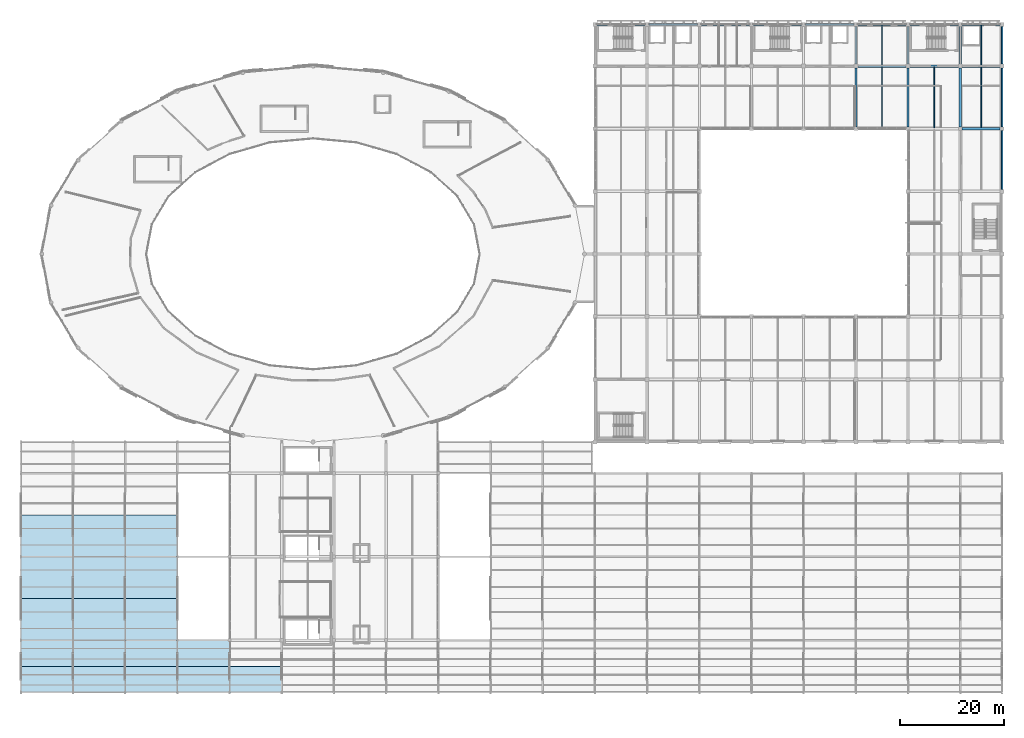
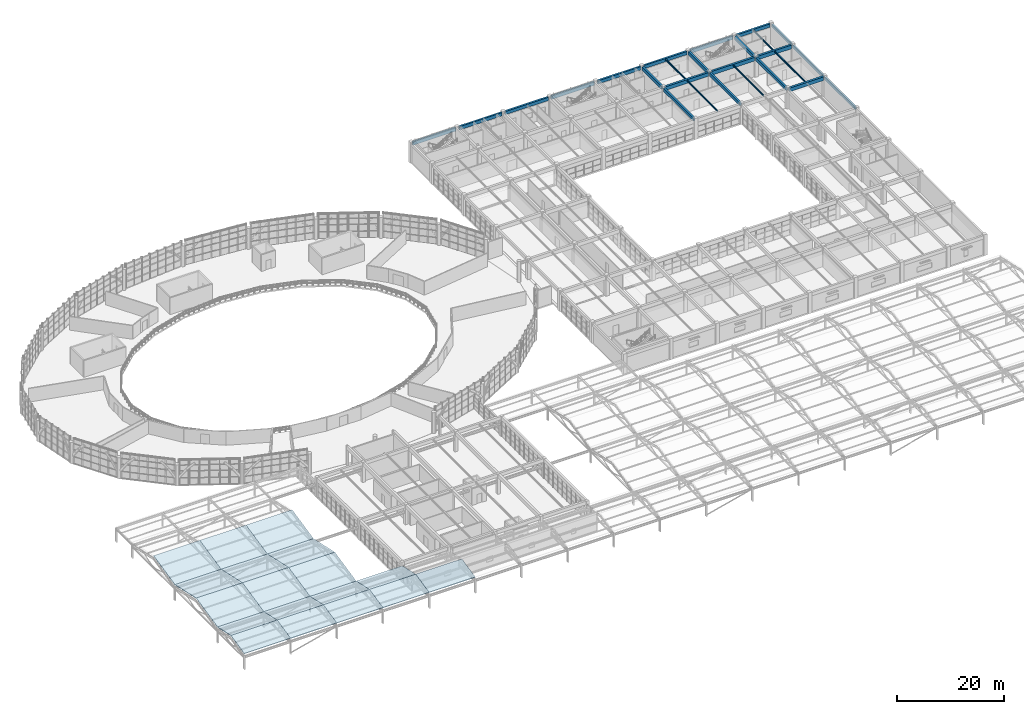
# One storey, part 60 of 109: 26 beams, 18 slabs, 1 element without a shape of its own.
"""IFC4 building model written with IfcOpenShell, lengths in metres."""

from ifc_helpers import new_model, si_unit, direction, frame, origin, origin_2d, place, context, subcontext, project, spatial, polyline, rectangle, i_section, outline, extrude, material, layer, layer_set, material_profile, profile_set, type_object, element, aggregate, save


model = new_model("IFC4")

# Units and contexts
model_context = context("Model", 3, precision=1e-05, world=origin(), true_north=direction((0.0, 1.0)))
body_context = subcontext(model_context, "Body", "Model", "MODEL_VIEW")
ifc_project = project(units=[si_unit("LENGTHUNIT", "METRE"), si_unit("AREAUNIT", "SQUARE_METRE"), si_unit("VOLUMEUNIT", "CUBIC_METRE"), si_unit("PLANEANGLEUNIT", "RADIAN"), si_unit("MASSUNIT", "GRAM", prefix="KILO")], contexts=[model_context])

# Site, building, storey
site_placement = place(None, origin())
site = spatial("IfcSite", under=ifc_project, at=site_placement, CompositionType="ELEMENT")
building_placement = place(site_placement, origin())
building = spatial("IfcBuilding", under=site, at=building_placement, Name="Kivolera Central Railway Station", CompositionType="ELEMENT")
storey_placement = place(building_placement, frame((0.0, 0.0, 9.60009765625)))
storey = spatial("IfcBuildingStorey", under=building, at=storey_placement, Name="L02", CompositionType="ELEMENT", Elevation=9.60009765625)

# Beams
ifc_material_1 = material(Name="Steel S355", Category="steel")
ifc_material_profile_1 = material_profile(ifc_material_1, i_section(OverallWidth=0.169921875, OverallDepth=0.360107421875, WebThickness=0.008056640625, FlangeThickness=0.0126953125, FilletRadius=0.01806640625, at=origin_2d()), Name="IPE 360")
ifc_profile_set_1 = profile_set([ifc_material_profile_1], Name="Steel S355")
beam_type_1 = type_object("IfcBeamType", Name="BM-JST-IPE360", PredefinedType="JOIST", material=ifc_profile_set_1)
beam_1_placement = place(storey_placement, frame((173.0, 114.217041015625, 4.327880859375), z_axis=(0.0, 1.0, 0.0), x_axis=(-1.0, 0.0, 0.0)))
element("IfcBeam", 1, at=beam_1_placement, inside=storey, type_object=beam_type_1, Name="L02 Floor Joist 17-18/K-L", PredefinedType="JOIST", context=body_context, shape_type="SweptSolid", body=[
    extrude(i_section(OverallWidth=0.169921875, OverallDepth=0.360107421875, WebThickness=0.008056640625, FlangeThickness=0.0126953125, FilletRadius=0.01806640625, at=origin_2d()), origin(), (0.0, 0.0, 1.0), 11.56591796875),
])
beam_2_placement = place(storey_placement, frame((173.0, 126.217041015625, 4.327880859375), z_axis=(0.0, 1.0, 0.0), x_axis=(-1.0, 0.0, 0.0)))
element("IfcBeam", 2, at=beam_2_placement, inside=storey, type_object=beam_type_1, Name="L02 Floor Joist 17-18/L-M", PredefinedType="JOIST", context=body_context, shape_type="SweptSolid", body=[
    extrude(i_section(OverallWidth=0.169921875, OverallDepth=0.360107421875, WebThickness=0.008056640625, FlangeThickness=0.0126953125, FilletRadius=0.01806640625, at=origin_2d()), origin(), (0.0, 0.0, 1.0), 7.591064453125),
])
for number, where, z_axis, x_axis, name in (
    (3, (183.0, 114.217041015625, 4.327880859375), (0.0, 1.0, 0.0), (-1.0, 0.0, 0.0), "L02 Floor Joist 18-19/K-L"),
    (4, (192.0, 114.217041015625, 4.327880859375), (0.0, 1.0, 0.0), (-1.0, 0.0, 0.0), "L02 Floor Joist 19-20/K-L"),
):
    element("IfcBeam", number, at=place(storey_placement, frame(where, z_axis=z_axis, x_axis=x_axis)), inside=storey, type_object=beam_type_1, Name=name, PredefinedType="JOIST", context=body_context, shape_type="SweptSolid", body=[
        extrude(i_section(OverallWidth=0.169921875, OverallDepth=0.360107421875, WebThickness=0.008056640625, FlangeThickness=0.0126953125, FilletRadius=0.01806640625, at=origin_2d()), origin(), (0.0, 0.0, 1.0), 11.56591796875),
    ])
beam_3_placement = place(storey_placement, frame((192.0, 126.217041015625, 4.327880859375), z_axis=(0.0, 1.0, 0.0), x_axis=(-1.0, 0.0, 0.0)))
element("IfcBeam", 5, at=beam_3_placement, inside=storey, type_object=beam_type_1, Name="L02 Floor Joist 19-20/L-M", PredefinedType="JOIST", context=body_context, shape_type="SweptSolid", body=[
    extrude(i_section(OverallWidth=0.169921875, OverallDepth=0.360107421875, WebThickness=0.008056640625, FlangeThickness=0.0126953125, FilletRadius=0.01806640625, at=origin_2d()), origin(), (0.0, 0.0, 1.0), 7.591064453125),
])
ifc_material_2 = material(Name="Concrete C40/50", Category="concrete")
ifc_material_profile_2 = material_profile(ifc_material_2, rectangle(XDim=0.39990234375, YDim=0.75, at=origin_2d()), Name="RC 400x750")
ifc_profile_set_2 = profile_set([ifc_material_profile_2], Name="Concrete C40/50")
beam_type_2 = type_object("IfcBeamType", Name="BM-RC-400x750", PredefinedType="BEAM", material=ifc_profile_set_2)
beam_4_placement = place(storey_placement, frame((168.0, 114.366943359375, 4.14501953125), z_axis=(0.0, 1.0, 0.0), x_axis=(-1.0, 0.0, 0.0)))
element("IfcBeam", 6, at=beam_4_placement, inside=storey, type_object=beam_type_2, Name="L02 Wing Y-Beam 17:K-L", PredefinedType="BEAM", context=body_context, shape_type="SweptSolid", body=[
    extrude(rectangle(XDim=0.39990234375, YDim=0.75, at=origin_2d()), origin(), (0.0, 0.0, 1.0), 11.26611328125),
])
beam_5_placement = place(storey_placement, frame((168.0, 126.366943359375, 4.14501953125), z_axis=(0.0, 1.0, 0.0), x_axis=(-1.0, 0.0, 0.0)))
element("IfcBeam", 7, at=beam_5_placement, inside=storey, type_object=beam_type_2, Name="L02 Wing Y-Beam 17:L-M", PredefinedType="BEAM", context=body_context, shape_type="SweptSolid", body=[
    extrude(rectangle(XDim=0.39990234375, YDim=0.75, at=origin_2d()), origin(), (0.0, 0.0, 1.0), 7.26611328125),
])
beam_6_placement = place(storey_placement, frame((178.0, 114.366943359375, 4.14501953125), z_axis=(0.0, 1.0, 0.0), x_axis=(-1.0, 0.0, 0.0)))
element("IfcBeam", 8, at=beam_6_placement, inside=storey, type_object=beam_type_2, Name="L02 Wing Y-Beam 18:K-L", PredefinedType="BEAM", context=body_context, shape_type="SweptSolid", body=[
    extrude(rectangle(XDim=0.39990234375, YDim=0.75, at=origin_2d()), origin(), (0.0, 0.0, 1.0), 11.26611328125),
])
beam_7_placement = place(storey_placement, frame((178.0, 126.366943359375, 4.14501953125), z_axis=(0.0, 1.0, 0.0), x_axis=(-1.0, 0.0, 0.0)))
element("IfcBeam", 9, at=beam_7_placement, inside=storey, type_object=beam_type_2, Name="L02 Wing Y-Beam 18:L-M", PredefinedType="BEAM", context=body_context, shape_type="SweptSolid", body=[
    extrude(rectangle(XDim=0.39990234375, YDim=0.75, at=origin_2d()), origin(), (0.0, 0.0, 1.0), 7.26611328125),
])
beam_8_placement = place(storey_placement, frame((188.0, 114.366943359375, 4.14501953125), z_axis=(0.0, 1.0, 0.0), x_axis=(-1.0, 0.0, 0.0)))
element("IfcBeam", 10, at=beam_8_placement, inside=storey, type_object=beam_type_2, Name="L02 Wing Y-Beam 19:K-L", PredefinedType="BEAM", context=body_context, shape_type="SweptSolid", body=[
    extrude(rectangle(XDim=0.39990234375, YDim=0.75, at=origin_2d()), origin(), (0.0, 0.0, 1.0), 11.26611328125),
])
beam_9_placement = place(storey_placement, frame((188.0, 126.366943359375, 4.14501953125), z_axis=(0.0, 1.0, 0.0), x_axis=(-1.0, 0.0, 0.0)))
element("IfcBeam", 11, at=beam_9_placement, inside=storey, type_object=beam_type_2, Name="L02 Wing Y-Beam 19:L-M", PredefinedType="BEAM", context=body_context, shape_type="SweptSolid", body=[
    extrude(rectangle(XDim=0.39990234375, YDim=0.75, at=origin_2d()), origin(), (0.0, 0.0, 1.0), 7.26611328125),
])
ifc_material_profile_3 = material_profile(ifc_material_2, rectangle(XDim=0.449951171875, YDim=0.85009765625, at=origin_2d()), Name="RC 450x850")
ifc_profile_set_3 = profile_set([ifc_material_profile_3], Name="Concrete C40/50")
beam_type_3 = type_object("IfcBeamType", Name="BM-RC-450x850", PredefinedType="BEAM", material=ifc_profile_set_3)
beam_10_placement = place(storey_placement, frame((188.366943359375, 114.0, 4.094970703125), z_axis=(1.0, 0.0, 0.0), x_axis=(0.0, 1.0, 0.0)))
element("IfcBeam", 12, at=beam_10_placement, inside=storey, type_object=beam_type_3, Name="L02 Wing X-Beam K:19-20", PredefinedType="BEAM", context=body_context, shape_type="SweptSolid", body=[
    extrude(rectangle(XDim=0.449951171875, YDim=0.85009765625, at=origin_2d()), origin(), (0.0, 0.0, 1.0), 7.26611328125),
])
for number, where, z_axis, x_axis, name in (
    (13, (168.366943359375, 126.0, 4.094970703125), (1.0, 0.0, 0.0), (0.0, 1.0, 0.0), "L02 Wing X-Beam L:17-18"),
    (14, (178.366943359375, 126.0, 4.094970703125), (1.0, 0.0, 0.0), (0.0, 1.0, 0.0), "L02 Wing X-Beam L:18-19"),
):
    element("IfcBeam", number, at=place(storey_placement, frame(where, z_axis=z_axis, x_axis=x_axis)), inside=storey, type_object=beam_type_3, Name=name, PredefinedType="BEAM", context=body_context, shape_type="SweptSolid", body=[
        extrude(rectangle(XDim=0.449951171875, YDim=0.85009765625, at=origin_2d()), origin(), (0.0, 0.0, 1.0), 9.26611328125),
    ])
beam_11_placement = place(storey_placement, frame((188.366943359375, 126.0, 4.094970703125), z_axis=(1.0, 0.0, 0.0), x_axis=(0.0, 1.0, 0.0)))
element("IfcBeam", 15, at=beam_11_placement, inside=storey, type_object=beam_type_3, Name="L02 Wing X-Beam L:19-20", PredefinedType="BEAM", context=body_context, shape_type="SweptSolid", body=[
    extrude(rectangle(XDim=0.449951171875, YDim=0.85009765625, at=origin_2d()), origin(), (0.0, 0.0, 1.0), 7.26611328125),
])
ifc_material_profile_4 = material_profile(ifc_material_2, rectangle(XDim=0.35009765625, YDim=0.64990234375, at=origin_2d()), Name="RC 350x650")
ifc_profile_set_4 = profile_set([ifc_material_profile_4], Name="Concrete C40/50")
beam_type_4 = type_object("IfcBeamType", Name="BM-SPN-RC650", PredefinedType="SPANDREL", material=ifc_profile_set_4)
for number, where, z_axis, x_axis, name in (
    (16, (196.0, 102.366943359375, 4.19482421875), (0.0, 1.0, 0.0), (-1.0, 0.0, 0.0), "L02 Wing Y-Beam 20:J-K"),
    (17, (196.0, 114.366943359375, 4.19482421875), (0.0, 1.0, 0.0), (-1.0, 0.0, 0.0), "L02 Wing Y-Beam 20:K-L"),
):
    element("IfcBeam", number, at=place(storey_placement, frame(where, z_axis=z_axis, x_axis=x_axis)), inside=storey, type_object=beam_type_4, Name=name, PredefinedType="SPANDREL", context=body_context, shape_type="SweptSolid", body=[
        extrude(rectangle(XDim=0.35009765625, YDim=0.64990234375, at=origin_2d()), origin(), (0.0, 0.0, 1.0), 11.26611328125),
    ])
beam_12_placement = place(storey_placement, frame((196.0, 126.366943359375, 4.19482421875), z_axis=(0.0, 1.0, 0.0), x_axis=(-1.0, 0.0, 0.0)))
element("IfcBeam", 18, at=beam_12_placement, inside=storey, type_object=beam_type_4, Name="L02 Wing Y-Beam 20:L-M", PredefinedType="SPANDREL", context=body_context, shape_type="SweptSolid", body=[
    extrude(rectangle(XDim=0.35009765625, YDim=0.64990234375, at=origin_2d()), origin(), (0.0, 0.0, 1.0), 7.26611328125),
])
ifc_material_profile_5 = material_profile(ifc_material_2, rectangle(XDim=0.39990234375, YDim=0.75, at=origin_2d()), Name="RC 400x750")
ifc_profile_set_5 = profile_set([ifc_material_profile_5], Name="Concrete C40/50")
beam_type_5 = type_object("IfcBeamType", Name="BM-SPN-RC750", PredefinedType="SPANDREL", material=ifc_profile_set_5)
for number, where, z_axis, x_axis, name in (
    (19, (118.366943359375, 134.0, 4.14501953125), (1.0, 0.0, 0.0), (0.0, 1.0, 0.0), "L02 Wing X-Beam M:12-13"),
    (20, (128.366943359375, 134.0, 4.14501953125), (1.0, 0.0, 0.0), (0.0, 1.0, 0.0), "L02 Wing X-Beam M:13-14"),
    (21, (138.366943359375, 134.0, 4.14501953125), (1.0, 0.0, 0.0), (0.0, 1.0, 0.0), "L02 Wing X-Beam M:14-15"),
    (22, (148.366943359375, 134.0, 4.14501953125), (1.0, 0.0, 0.0), (0.0, 1.0, 0.0), "L02 Wing X-Beam M:15-16"),
    (23, (158.366943359375, 134.0, 4.14501953125), (1.0, 0.0, 0.0), (0.0, 1.0, 0.0), "L02 Wing X-Beam M:16-17"),
    (24, (168.366943359375, 134.0, 4.14501953125), (1.0, 0.0, 0.0), (0.0, 1.0, 0.0), "L02 Wing X-Beam M:17-18"),
    (25, (178.366943359375, 134.0, 4.14501953125), (1.0, 0.0, 0.0), (0.0, 1.0, 0.0), "L02 Wing X-Beam M:18-19"),
):
    element("IfcBeam", number, at=place(storey_placement, frame(where, z_axis=z_axis, x_axis=x_axis)), inside=storey, type_object=beam_type_5, Name=name, PredefinedType="SPANDREL", context=body_context, shape_type="SweptSolid", body=[
        extrude(rectangle(XDim=0.39990234375, YDim=0.75, at=origin_2d()), origin(), (0.0, 0.0, 1.0), 9.26611328125),
    ])
beam_13_placement = place(storey_placement, frame((188.366943359375, 134.0, 4.14501953125), z_axis=(1.0, 0.0, 0.0), x_axis=(0.0, 1.0, 0.0)))
element("IfcBeam", 26, at=beam_13_placement, inside=storey, type_object=beam_type_5, Name="L02 Wing X-Beam M:19-20", PredefinedType="SPANDREL", context=body_context, shape_type="SweptSolid", body=[
    extrude(rectangle(XDim=0.39990234375, YDim=0.75, at=origin_2d()), origin(), (0.0, 0.0, 1.0), 7.26611328125),
])

# Roof, slabs
roof_type = type_object("IfcRoofType", Name="ROOF-SYS-1", PredefinedType="GABLE_ROOF", material=ifc_material_1)
roof_placement = place(storey_placement, origin())
roof = element("IfcRoof", 27, at=roof_placement, inside=storey, type_object=roof_type, Name="Southern Through-Platform Dual-Pitch Steel Train-Shed Roof", PredefinedType="GABLE_ROOF")
ifc_material_3 = material(Name="Precast concrete C40/50", Category="concrete")
ifc_layer = layer(ifc_material_3, 0.159912109375, Name="Precast concrete C40/50")
ifc_layer_set = layer_set([ifc_layer], Name="Precast concrete C40/50")
slab_type = type_object("IfcSlabType", Name="SLB-SHED-160", PredefinedType="ROOF", material=ifc_layer_set)
slab_1_placement = place(storey_placement, frame((8.0, 6.0, 3.599853515625), z_axis=(0.0, -0.214879977038, 0.976640463768), x_axis=(1.0, 0.0, 0.0)))
slab_1 = element("IfcSlab", 28, at=slab_1_placement, type_object=slab_type, Name="Train Shed Sloped Roof Panel AB-01S", PredefinedType="ROOF", context=body_context, shape_type="SweptSolid", body=[
    extrude(outline(polyline([(0.0, 0.0), (10.0, 0.0), (10.0, 5.119591277952445), (0.0, 5.119591277952445), (0.0, 0.0)])), origin(), (0.0, 0.0, -1.0), 0.159912109375),
])
slab_2_placement = place(storey_placement, frame((8.0, 11.0, 4.699951171875), z_axis=(0.0, 0.214879977038, 0.976640463768), x_axis=(1.0, 0.0, 0.0)))
slab_2 = element("IfcSlab", 29, at=slab_2_placement, type_object=slab_type, Name="Train Shed Sloped Roof Panel AB-01N", PredefinedType="ROOF", context=body_context, shape_type="SweptSolid", body=[
    extrude(outline(polyline([(0.0, 0.0), (10.0, 0.0), (10.0, 5.119591277952445), (0.0, 5.119591277952445), (0.0, 0.0)])), origin(), (0.0, 0.0, -1.0), 0.159912109375),
])
slab_3_placement = place(storey_placement, frame((8.0, 16.0, 3.599853515625), z_axis=(0.0, -0.214862919829, 0.97664421653), x_axis=(1.0, 0.0, 0.0)))
slab_3 = element("IfcSlab", 30, at=slab_3_placement, type_object=slab_type, Name="Train Shed Sloped Roof Panel BC-01S", PredefinedType="ROOF", context=body_context, shape_type="SweptSolid", body=[
    extrude(outline(polyline([(0.0, 0.0), (10.0, 0.0), (10.0, 8.19131456941408), (0.0, 8.19131456941408), (0.0, 0.0)])), origin(), (0.0, 0.0, -1.0), 0.159912109375),
])
slab_4_placement = place(storey_placement, frame((8.0, 24.0, 5.35986328125), z_axis=(0.0, 0.214862919829, 0.97664421653), x_axis=(1.0, 0.0, 0.0)))
slab_4 = element("IfcSlab", 31, at=slab_4_placement, type_object=slab_type, Name="Train Shed Sloped Roof Panel BC-01N", PredefinedType="ROOF", context=body_context, shape_type="SweptSolid", body=[
    extrude(outline(polyline([(0.0, 0.0), (10.0, 0.0), (10.0, 8.19131456941408), (0.0, 8.19131456941408), (0.0, 0.0)])), origin(), (0.0, 0.0, -1.0), 0.159912109375),
])
slab_5_placement = place(storey_placement, frame((8.0, 32.0, 3.599853515625), z_axis=(0.0, -0.214862919829, 0.97664421653), x_axis=(1.0, 0.0, 0.0)))
slab_5 = element("IfcSlab", 32, at=slab_5_placement, type_object=slab_type, Name="Train Shed Sloped Roof Panel CD-01S", PredefinedType="ROOF", context=body_context, shape_type="SweptSolid", body=[
    extrude(outline(polyline([(0.0, 0.0), (10.0, 0.0), (10.0, 8.19131456941408), (0.0, 8.19131456941408), (0.0, 0.0)])), origin(), (0.0, 0.0, -1.0), 0.159912109375),
])
slab_6_placement = place(storey_placement, frame((18.0, 6.0, 3.599853515625), z_axis=(0.0, -0.214879977038, 0.976640463768), x_axis=(1.0, 0.0, 0.0)))
slab_6 = element("IfcSlab", 33, at=slab_6_placement, type_object=slab_type, Name="Train Shed Sloped Roof Panel AB-02S", PredefinedType="ROOF", context=body_context, shape_type="SweptSolid", body=[
    extrude(outline(polyline([(0.0, 0.0), (10.0, 0.0), (10.0, 5.119591277952445), (0.0, 5.119591277952445), (0.0, 0.0)])), origin(), (0.0, 0.0, -1.0), 0.159912109375),
])
slab_7_placement = place(storey_placement, frame((18.0, 11.0, 4.699951171875), z_axis=(0.0, 0.214879977038, 0.976640463768), x_axis=(1.0, 0.0, 0.0)))
slab_7 = element("IfcSlab", 34, at=slab_7_placement, type_object=slab_type, Name="Train Shed Sloped Roof Panel AB-02N", PredefinedType="ROOF", context=body_context, shape_type="SweptSolid", body=[
    extrude(outline(polyline([(0.0, 0.0), (10.0, 0.0), (10.0, 5.119591277952445), (0.0, 5.119591277952445), (0.0, 0.0)])), origin(), (0.0, 0.0, -1.0), 0.159912109375),
])
slab_8_placement = place(storey_placement, frame((18.0, 16.0, 3.599853515625), z_axis=(0.0, -0.214862919829, 0.97664421653), x_axis=(1.0, 0.0, 0.0)))
slab_8 = element("IfcSlab", 35, at=slab_8_placement, type_object=slab_type, Name="Train Shed Sloped Roof Panel BC-02S", PredefinedType="ROOF", context=body_context, shape_type="SweptSolid", body=[
    extrude(outline(polyline([(0.0, 0.0), (10.0, 0.0), (10.0, 8.19131456941408), (0.0, 8.19131456941408), (0.0, 0.0)])), origin(), (0.0, 0.0, -1.0), 0.159912109375),
])
slab_9_placement = place(storey_placement, frame((18.0, 24.0, 5.35986328125), z_axis=(0.0, 0.214862919829, 0.97664421653), x_axis=(1.0, 0.0, 0.0)))
slab_9 = element("IfcSlab", 36, at=slab_9_placement, type_object=slab_type, Name="Train Shed Sloped Roof Panel BC-02N", PredefinedType="ROOF", context=body_context, shape_type="SweptSolid", body=[
    extrude(outline(polyline([(0.0, 0.0), (10.0, 0.0), (10.0, 8.19131456941408), (0.0, 8.19131456941408), (0.0, 0.0)])), origin(), (0.0, 0.0, -1.0), 0.159912109375),
])
slab_10_placement = place(storey_placement, frame((18.0, 32.0, 3.599853515625), z_axis=(0.0, -0.214862919829, 0.97664421653), x_axis=(1.0, 0.0, 0.0)))
slab_10 = element("IfcSlab", 37, at=slab_10_placement, type_object=slab_type, Name="Train Shed Sloped Roof Panel CD-02S", PredefinedType="ROOF", context=body_context, shape_type="SweptSolid", body=[
    extrude(outline(polyline([(0.0, 0.0), (10.0, 0.0), (10.0, 8.19131456941408), (0.0, 8.19131456941408), (0.0, 0.0)])), origin(), (0.0, 0.0, -1.0), 0.159912109375),
])
slab_11_placement = place(storey_placement, frame((28.0, 6.0, 3.599853515625), z_axis=(0.0, -0.214879977038, 0.976640463768), x_axis=(1.0, 0.0, 0.0)))
slab_11 = element("IfcSlab", 38, at=slab_11_placement, type_object=slab_type, Name="Train Shed Sloped Roof Panel AB-03S", PredefinedType="ROOF", context=body_context, shape_type="SweptSolid", body=[
    extrude(outline(polyline([(0.0, 0.0), (10.0, 0.0), (10.0, 5.119591277952445), (0.0, 5.119591277952445), (0.0, 0.0)])), origin(), (0.0, 0.0, -1.0), 0.159912109375),
])
slab_12_placement = place(storey_placement, frame((28.0, 11.0, 4.699951171875), z_axis=(0.0, 0.214879977038, 0.976640463768), x_axis=(1.0, 0.0, 0.0)))
slab_12 = element("IfcSlab", 39, at=slab_12_placement, type_object=slab_type, Name="Train Shed Sloped Roof Panel AB-03N", PredefinedType="ROOF", context=body_context, shape_type="SweptSolid", body=[
    extrude(outline(polyline([(0.0, 0.0), (10.0, 0.0), (10.0, 5.119591277952445), (0.0, 5.119591277952445), (0.0, 0.0)])), origin(), (0.0, 0.0, -1.0), 0.159912109375),
])
slab_13_placement = place(storey_placement, frame((28.0, 16.0, 3.599853515625), z_axis=(0.0, -0.214862919829, 0.97664421653), x_axis=(1.0, 0.0, 0.0)))
slab_13 = element("IfcSlab", 40, at=slab_13_placement, type_object=slab_type, Name="Train Shed Sloped Roof Panel BC-03S", PredefinedType="ROOF", context=body_context, shape_type="SweptSolid", body=[
    extrude(outline(polyline([(0.0, 0.0), (10.0, 0.0), (10.0, 8.19131456941408), (0.0, 8.19131456941408), (0.0, 0.0)])), origin(), (0.0, 0.0, -1.0), 0.159912109375),
])
slab_14_placement = place(storey_placement, frame((28.0, 24.0, 5.35986328125), z_axis=(0.0, 0.214862919829, 0.97664421653), x_axis=(1.0, 0.0, 0.0)))
slab_14 = element("IfcSlab", 41, at=slab_14_placement, type_object=slab_type, Name="Train Shed Sloped Roof Panel BC-03N", PredefinedType="ROOF", context=body_context, shape_type="SweptSolid", body=[
    extrude(outline(polyline([(0.0, 0.0), (10.0, 0.0), (10.0, 8.19131456941408), (0.0, 8.19131456941408), (0.0, 0.0)])), origin(), (0.0, 0.0, -1.0), 0.159912109375),
])
slab_15_placement = place(storey_placement, frame((28.0, 32.0, 3.599853515625), z_axis=(0.0, -0.214862919829, 0.97664421653), x_axis=(1.0, 0.0, 0.0)))
slab_15 = element("IfcSlab", 42, at=slab_15_placement, type_object=slab_type, Name="Train Shed Sloped Roof Panel CD-03S", PredefinedType="ROOF", context=body_context, shape_type="SweptSolid", body=[
    extrude(outline(polyline([(0.0, 0.0), (10.0, 0.0), (10.0, 8.19131456941408), (0.0, 8.19131456941408), (0.0, 0.0)])), origin(), (0.0, 0.0, -1.0), 0.159912109375),
])
slab_16_placement = place(storey_placement, frame((38.0, 6.0, 3.599853515625), z_axis=(0.0, -0.214879977038, 0.976640463768), x_axis=(1.0, 0.0, 0.0)))
slab_16 = element("IfcSlab", 43, at=slab_16_placement, type_object=slab_type, Name="Train Shed Sloped Roof Panel AB-04S", PredefinedType="ROOF", context=body_context, shape_type="SweptSolid", body=[
    extrude(outline(polyline([(0.0, 0.0), (10.0, 0.0), (10.0, 5.119591277952445), (0.0, 5.119591277952445), (0.0, 0.0)])), origin(), (0.0, 0.0, -1.0), 0.159912109375),
])
slab_17_placement = place(storey_placement, frame((38.0, 11.0, 4.699951171875), z_axis=(0.0, 0.214879977038, 0.976640463768), x_axis=(1.0, 0.0, 0.0)))
slab_17 = element("IfcSlab", 44, at=slab_17_placement, type_object=slab_type, Name="Train Shed Sloped Roof Panel AB-04N", PredefinedType="ROOF", context=body_context, shape_type="SweptSolid", body=[
    extrude(outline(polyline([(0.0, 0.0), (10.0, 0.0), (10.0, 5.119591277952445), (0.0, 5.119591277952445), (0.0, 0.0)])), origin(), (0.0, 0.0, -1.0), 0.159912109375),
])
slab_18_placement = place(storey_placement, frame((48.0, 6.0, 3.599853515625), z_axis=(0.0, -0.214879977038, 0.976640463768), x_axis=(1.0, 0.0, 0.0)))
slab_18 = element("IfcSlab", 45, at=slab_18_placement, type_object=slab_type, Name="Train Shed Sloped Roof Panel AB-05S", PredefinedType="ROOF", context=body_context, shape_type="SweptSolid", body=[
    extrude(outline(polyline([(0.0, 0.0), (10.0, 0.0), (10.0, 5.119591277952445), (0.0, 5.119591277952445), (0.0, 0.0)])), origin(), (0.0, 0.0, -1.0), 0.159912109375),
])
aggregate(roof, [slab_1, slab_2, slab_3, slab_4, slab_5, slab_6, slab_7, slab_8, slab_9, slab_10, slab_11, slab_12, slab_13, slab_14, slab_15, slab_16, slab_17, slab_18])

save(model, "model.ifc")
